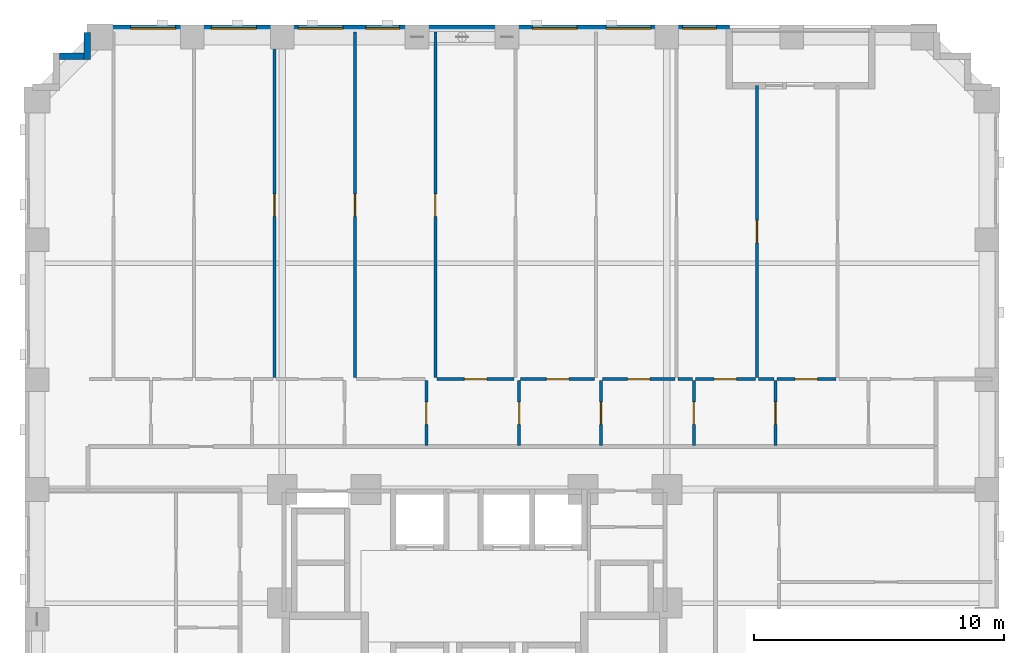
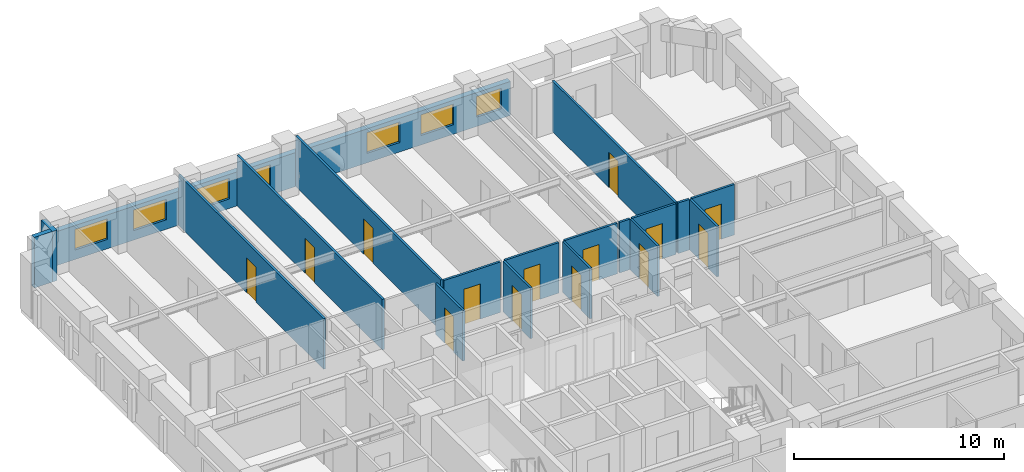
# One storey, part 8 of 14: 19 walls, 14 doors, 7 windows, 21 openings.
"""IFC4 building model written with IfcOpenShell, lengths in metres."""

from ifc_helpers import new_model, si_unit, derived_unit, direction, frame, frame_2d, origin, place, context, subcontext, project, spatial, rectangle, extrude, material, layer, layer_set, type_object, element, fill, save


model = new_model("IFC4")

# Units and contexts
model_context = context("Model", 3, precision=1e-05, world=origin(), true_north=direction((0.0, 1.0)))
body_context = subcontext(model_context, "Body", "Model", "MODEL_VIEW")
ifc_project = project(units=[si_unit("LENGTHUNIT", "METRE"), si_unit("AREAUNIT", "SQUARE_METRE"), si_unit("VOLUMEUNIT", "CUBIC_METRE"), si_unit("PLANEANGLEUNIT", "RADIAN"), si_unit("MASSUNIT", "GRAM", prefix="KILO"), derived_unit("THERMALTRANSMITTANCEUNIT", [(si_unit("MASSUNIT", "GRAM", prefix="KILO"), 1), (si_unit("TIMEUNIT", "SECOND"), -3), (si_unit("THERMODYNAMICTEMPERATUREUNIT", "KELVIN"), -1)])], contexts=[model_context])

# Site, building, storey
site_placement = place(None, origin())
site = spatial("IfcSite", under=ifc_project, at=site_placement, CompositionType="ELEMENT")
building_placement = place(site_placement, origin())
building = spatial("IfcBuilding", under=site, at=building_placement, Name="Korrvale Station Residences", CompositionType="ELEMENT")
storey_placement = place(building_placement, frame((0.0, 0.0, 41.800048828125)))
storey = spatial("IfcBuildingStorey", under=building, at=storey_placement, Name="L10", CompositionType="ELEMENT", Elevation=41.800048828125)

# Walls
ifc_material_1 = material(Name="Precast concrete C45/55", Category="concrete")
ifc_layer_1 = layer(ifc_material_1, 0.260009765625, Name="Precast concrete C45/55")
ifc_layer_set_1 = layer_set([ifc_layer_1], Name="Precast concrete C45/55")
wall_type_1 = type_object("IfcWallType", Name="WAL-EXT-LOG260", PredefinedType="SOLIDWALL", material=ifc_layer_set_1)
wall_1_placement = place(storey_placement, frame((8.882080078125, 46.35009765625, 0.0), z_axis=(0.0, 0.0, 1.0), x_axis=(1.0, 0.0, 0.0)))
element("IfcWall", 1, at=wall_1_placement, inside=storey, type_object=wall_type_1, Name="L10 Serrated Corner Precast Step NW-3", PredefinedType="SOLIDWALL", context=body_context, shape_type="SweptSolid", body=[
    extrude(rectangle(XDim=0.98583984375, YDim=0.260009765625, at=frame_2d((0.492919921875, 0.0))), origin(), (0.0, 0.0, 1.0), 2.93994140625),
])
wall_2_placement = place(storey_placement, frame((10.0, 46.219970703125, 0.0), z_axis=(0.0, 0.0, 1.0), x_axis=(0.0, 1.0, 0.0)))
element("IfcWall", 2, at=wall_2_placement, inside=storey, type_object=wall_type_1, Name="L10 Serrated Corner Precast Step NW-4", PredefinedType="SOLIDWALL", context=body_context, shape_type="SweptSolid", body=[
    extrude(rectangle(XDim=1.078125, YDim=0.260009765625, at=frame_2d((0.5390625, 0.0))), origin(), (0.0, 0.0, 1.0), 2.93994140625),
])

# Wall, openings, windows
ifc_layer_2 = layer(ifc_material_1, 0.300048828125, Name="Precast concrete C45/55")
ifc_layer_set_2 = layer_set([ifc_layer_2], Name="Precast concrete C45/55")
wall_type_2 = type_object("IfcWallType", Name="WAL-EXT-PC300", PredefinedType="SOLIDWALL", material=ifc_layer_set_2)
wall_3_placement = place(storey_placement, frame((10.0, 47.449951171875, 0.0), z_axis=(0.0, 0.0, 1.0), x_axis=(1.0, 0.0, 0.0)))
wall_3 = element("IfcWall", 3, at=wall_3_placement, inside=storey, type_object=wall_type_2, Name="L10 North Exterior Precast Wall 1", PredefinedType="SOLIDWALL", context=body_context, shape_type="SweptSolid", body=[
    extrude(rectangle(XDim=25.699951171875, YDim=0.300048828125, at=frame_2d((12.85009765625, 0.0))), origin(), (0.0, 0.0, 1.0), 1.974853515625),
])
opening_1_placement = place(wall_3_placement, frame((1.72998046875, 0.0, 0.550048828125)))
opening_1 = element("IfcOpeningElement", 4, at=opening_1_placement, cuts=wall_3, Name="Opening W-09", PredefinedType="OPENING", context=body_context, shape_type="SweptSolid", body=[
    extrude(rectangle(XDim=1.800048828125, YDim=1.199951171875, at=frame_2d((0.89990234375, 0.60009765625))), frame((0.0, 0.16015625, 0.0), z_axis=(0.0, -1.0, 0.0), x_axis=(1.0, 0.0, 0.0)), (0.0, 0.0, 1.0), 0.320068359375),
])
opening_2_placement = place(wall_3_placement, frame((4.9609375, 0.0, 0.550048828125)))
opening_2 = element("IfcOpeningElement", 5, at=opening_2_placement, cuts=wall_3, Name="Opening W-09", PredefinedType="OPENING", context=body_context, shape_type="SweptSolid", body=[
    extrude(rectangle(XDim=1.800048828125, YDim=1.199951171875, at=frame_2d((0.89990234375, 0.60009765625))), frame((0.0, 0.16015625, 0.0), z_axis=(0.0, -1.0, 0.0), x_axis=(1.0, 0.0, 0.0)), (0.0, 0.0, 1.0), 0.320068359375),
])
opening_3_placement = place(wall_3_placement, frame((8.43505859375, 0.0, 0.550048828125)))
opening_3 = element("IfcOpeningElement", 6, at=opening_3_placement, cuts=wall_3, Name="Opening W-09", PredefinedType="OPENING", context=body_context, shape_type="SweptSolid", body=[
    extrude(rectangle(XDim=1.800048828125, YDim=1.199951171875, at=frame_2d((0.89990234375, 0.60009765625))), frame((0.0, 0.16015625, 0.0), z_axis=(0.0, -1.0, 0.0), x_axis=(1.0, 0.0, 0.0)), (0.0, 0.0, 1.0), 0.320068359375),
])
opening_4_placement = place(wall_3_placement, frame((11.14990234375, 0.0, 0.550048828125)))
opening_4 = element("IfcOpeningElement", 7, at=opening_4_placement, cuts=wall_3, Name="Opening W-10", PredefinedType="OPENING", context=body_context, shape_type="SweptSolid", body=[
    extrude(rectangle(XDim=1.35009765625, YDim=1.199951171875, at=frame_2d((0.675048828125, 0.60009765625))), frame((0.0, 0.16015625, 0.0), z_axis=(0.0, -1.0, 0.0), x_axis=(1.0, 0.0, 0.0)), (0.0, 0.0, 1.0), 0.320068359375),
])
opening_5_placement = place(wall_3_placement, frame((17.81201171875, 0.0, 0.550048828125)))
opening_5 = element("IfcOpeningElement", 8, at=opening_5_placement, cuts=wall_3, Name="Opening W-09", PredefinedType="OPENING", context=body_context, shape_type="SweptSolid", body=[
    extrude(rectangle(XDim=1.800048828125, YDim=1.199951171875, at=frame_2d((0.89990234375, 0.60009765625))), frame((0.0, 0.16015625, 0.0), z_axis=(0.0, -1.0, 0.0), x_axis=(1.0, 0.0, 0.0)), (0.0, 0.0, 1.0), 0.320068359375),
])
opening_6_placement = place(wall_3_placement, frame((20.764892578125, 0.0, 0.550048828125)))
opening_6 = element("IfcOpeningElement", 9, at=opening_6_placement, cuts=wall_3, Name="Opening W-09", PredefinedType="OPENING", context=body_context, shape_type="SweptSolid", body=[
    extrude(rectangle(XDim=1.800048828125, YDim=1.199951171875, at=frame_2d((0.89990234375, 0.60009765625))), frame((0.0, 0.16015625, 0.0), z_axis=(0.0, -1.0, 0.0), x_axis=(1.0, 0.0, 0.0)), (0.0, 0.0, 1.0), 0.320068359375),
])
opening_7_placement = place(wall_3_placement, frame((23.8349609375, 0.0, 0.550048828125)))
opening_7 = element("IfcOpeningElement", 10, at=opening_7_placement, cuts=wall_3, Name="Opening W-10", PredefinedType="OPENING", context=body_context, shape_type="SweptSolid", body=[
    extrude(rectangle(XDim=1.35009765625, YDim=1.199951171875, at=frame_2d((0.675048828125, 0.60009765625))), frame((0.0, 0.16015625, 0.0), z_axis=(0.0, -1.0, 0.0), x_axis=(1.0, 0.0, 0.0)), (0.0, 0.0, 1.0), 0.320068359375),
])
ifc_material_2 = material(Name="Thermally broken aluminium frame with triple low-e glazing", Category="aluminium")
window_type_1 = type_object("IfcWindowType", Name="WIN-W09", PartitioningType="DOUBLE_PANEL_VERTICAL", PredefinedType="WINDOW", material=ifc_material_2)
window_1_placement = place(opening_1_placement, origin())
window_1 = element("IfcWindow", 11, at=window_1_placement, inside=storey, type_object=window_type_1, Name="L10 Punched Window 15", OverallHeight=1.199951171875, OverallWidth=1.800048828125, PartitioningType="DOUBLE_PANEL_VERTICAL", PredefinedType="WINDOW", context=body_context, shape_type="SweptSolid", body=[
    extrude(rectangle(XDim=1.800048828125, YDim=1.199951171875, at=frame_2d((0.89990234375, 0.60009765625))), frame((0.0, 0.030029296875, 0.0), z_axis=(0.0, -1.0, 0.0), x_axis=(1.0, 0.0, 0.0)), (0.0, 0.0, 1.0), 0.06005859375),
])
fill(opening_1, window_1)
window_2_placement = place(opening_2_placement, origin())
window_2 = element("IfcWindow", 12, at=window_2_placement, inside=storey, type_object=window_type_1, Name="L10 Punched Window 16", OverallHeight=1.199951171875, OverallWidth=1.800048828125, PartitioningType="DOUBLE_PANEL_VERTICAL", PredefinedType="WINDOW", context=body_context, shape_type="SweptSolid", body=[
    extrude(rectangle(XDim=1.800048828125, YDim=1.199951171875, at=frame_2d((0.89990234375, 0.60009765625))), frame((0.0, 0.030029296875, 0.0), z_axis=(0.0, -1.0, 0.0), x_axis=(1.0, 0.0, 0.0)), (0.0, 0.0, 1.0), 0.06005859375),
])
fill(opening_2, window_2)
window_3_placement = place(opening_3_placement, origin())
window_3 = element("IfcWindow", 13, at=window_3_placement, inside=storey, type_object=window_type_1, Name="L10 Punched Window 17", OverallHeight=1.199951171875, OverallWidth=1.800048828125, PartitioningType="DOUBLE_PANEL_VERTICAL", PredefinedType="WINDOW", context=body_context, shape_type="SweptSolid", body=[
    extrude(rectangle(XDim=1.800048828125, YDim=1.199951171875, at=frame_2d((0.89990234375, 0.60009765625))), frame((0.0, 0.030029296875, 0.0), z_axis=(0.0, -1.0, 0.0), x_axis=(1.0, 0.0, 0.0)), (0.0, 0.0, 1.0), 0.06005859375),
])
fill(opening_3, window_3)
window_4_placement = place(opening_5_placement, origin())
window_4 = element("IfcWindow", 14, at=window_4_placement, inside=storey, type_object=window_type_1, Name="L10 Punched Window 19", OverallHeight=1.199951171875, OverallWidth=1.800048828125, PartitioningType="DOUBLE_PANEL_VERTICAL", PredefinedType="WINDOW", context=body_context, shape_type="SweptSolid", body=[
    extrude(rectangle(XDim=1.800048828125, YDim=1.199951171875, at=frame_2d((0.89990234375, 0.60009765625))), frame((0.0, 0.030029296875, 0.0), z_axis=(0.0, -1.0, 0.0), x_axis=(1.0, 0.0, 0.0)), (0.0, 0.0, 1.0), 0.06005859375),
])
fill(opening_5, window_4)
window_5_placement = place(opening_6_placement, origin())
window_5 = element("IfcWindow", 15, at=window_5_placement, inside=storey, type_object=window_type_1, Name="L10 Punched Window 20", OverallHeight=1.199951171875, OverallWidth=1.800048828125, PartitioningType="DOUBLE_PANEL_VERTICAL", PredefinedType="WINDOW", context=body_context, shape_type="SweptSolid", body=[
    extrude(rectangle(XDim=1.800048828125, YDim=1.199951171875, at=frame_2d((0.89990234375, 0.60009765625))), frame((0.0, 0.030029296875, 0.0), z_axis=(0.0, -1.0, 0.0), x_axis=(1.0, 0.0, 0.0)), (0.0, 0.0, 1.0), 0.06005859375),
])
fill(opening_6, window_5)
window_type_2 = type_object("IfcWindowType", Name="WIN-W10", PartitioningType="SINGLE_PANEL", PredefinedType="WINDOW", material=ifc_material_2)
window_6_placement = place(opening_4_placement, origin())
window_6 = element("IfcWindow", 16, at=window_6_placement, inside=storey, type_object=window_type_2, Name="L10 Punched Window 18", OverallHeight=1.199951171875, OverallWidth=1.35009765625, PartitioningType="SINGLE_PANEL", PredefinedType="WINDOW", context=body_context, shape_type="SweptSolid", body=[
    extrude(rectangle(XDim=1.35009765625, YDim=1.199951171875, at=frame_2d((0.675048828125, 0.60009765625))), frame((0.0, 0.030029296875, 0.0), z_axis=(0.0, -1.0, 0.0), x_axis=(1.0, 0.0, 0.0)), (0.0, 0.0, 1.0), 0.06005859375),
])
fill(opening_4, window_6)
window_7_placement = place(opening_7_placement, origin())
window_7 = element("IfcWindow", 17, at=window_7_placement, inside=storey, type_object=window_type_2, Name="L10 Punched Window 21", OverallHeight=1.199951171875, OverallWidth=1.35009765625, PartitioningType="SINGLE_PANEL", PredefinedType="WINDOW", context=body_context, shape_type="SweptSolid", body=[
    extrude(rectangle(XDim=1.35009765625, YDim=1.199951171875, at=frame_2d((0.675048828125, 0.60009765625))), frame((0.0, 0.030029296875, 0.0), z_axis=(0.0, -1.0, 0.0), x_axis=(1.0, 0.0, 0.0)), (0.0, 0.0, 1.0), 0.06005859375),
])
fill(opening_7, window_7)

# Wall, opening, door
ifc_material_3 = material(Name="Acoustic steel-stud gypsum board partition", Category="steel")
ifc_layer_3 = layer(ifc_material_3, 0.1201171875, Name="Acoustic steel-stud gypsum board partition")
ifc_layer_set_3 = layer_set([ifc_layer_3], Name="Acoustic steel-stud gypsum board partition")
wall_type_3 = type_object("IfcWallType", Name="WAL-PART-125", PredefinedType="PARTITIONING", material=ifc_layer_set_3)
wall_4_placement = place(storey_placement, frame((23.570068359375, 30.760009765625, 0.0), z_axis=(0.0, 0.0, 1.0), x_axis=(0.0, 1.0, 0.0)))
wall_4 = element("IfcWall", 18, at=wall_4_placement, inside=storey, type_object=wall_type_3, Name="L10 Suite Partition U03-V34", PredefinedType="PARTITIONING", context=body_context, shape_type="SweptSolid", body=[
    extrude(rectangle(XDim=2.60009765625, YDim=0.1201171875, at=frame_2d((1.300048828125, 0.0))), origin(), (0.0, 0.0, 1.0), 2.93994140625),
])
opening_8_placement = place(wall_4_placement, frame((0.85009765625, 0.0, 0.0)))
opening_8 = element("IfcOpeningElement", 19, at=opening_8_placement, cuts=wall_4, Name="Opening DI-900", PredefinedType="OPENING", context=body_context, shape_type="SweptSolid", body=[
    extrude(rectangle(XDim=0.89990234375, YDim=2.050048828125, at=frame_2d((0.449951171875, 1.02490234375))), frame((0.0, 0.070068359375, 0.0), z_axis=(0.0, -1.0, 0.0), x_axis=(1.0, 0.0, 0.0)), (0.0, 0.0, 1.0), 0.14013671875),
])
ifc_material_4 = material(Name="Painted solid-core timber interior room door", Category="wood")
door_type = type_object("IfcDoorType", Name="DR-INT-900", OperationType="NOTDEFINED", PredefinedType="DOOR", material=ifc_material_4)
door_1_placement = place(opening_8_placement, origin())
door_1 = element("IfcDoor", 20, at=door_1_placement, inside=storey, type_object=door_type, Name="L10 Studio Apartment L10-U03 Storage Closet 2 Door", OperationType="SINGLE_SWING_RIGHT", OverallHeight=2.050048828125, OverallWidth=0.89990234375, PredefinedType="DOOR", context=body_context, shape_type="SweptSolid", body=[
    extrude(rectangle(XDim=0.89990234375, YDim=2.050048828125, at=frame_2d((0.449951171875, 1.02490234375))), frame((0.0, 0.02490234375, 0.0), z_axis=(0.0, -1.0, 0.0), x_axis=(1.0, 0.0, 0.0)), (0.0, 0.0, 1.0), 0.050048828125),
])
fill(opening_8, door_1)

wall_5_placement = place(storey_placement, frame((27.2900390625, 30.760009765625, 0.0), z_axis=(0.0, 0.0, 1.0), x_axis=(0.0, 1.0, 0.0)))
wall_5 = element("IfcWall", 21, at=wall_5_placement, inside=storey, type_object=wall_type_3, Name="L10 Suite Partition U03-V45", PredefinedType="PARTITIONING", context=body_context, shape_type="SweptSolid", body=[
    extrude(rectangle(XDim=2.60009765625, YDim=0.1201171875, at=frame_2d((1.300048828125, 0.0))), origin(), (0.0, 0.0, 1.0), 2.93994140625),
])
opening_9_placement = place(wall_5_placement, frame((0.85009765625, 0.0, 0.0)))
opening_9 = element("IfcOpeningElement", 22, at=opening_9_placement, cuts=wall_5, Name="Opening DI-900", PredefinedType="OPENING", context=body_context, shape_type="SweptSolid", body=[
    extrude(rectangle(XDim=0.89990234375, YDim=2.050048828125, at=frame_2d((0.449951171875, 1.02490234375))), frame((0.0, 0.070068359375, 0.0), z_axis=(0.0, -1.0, 0.0), x_axis=(1.0, 0.0, 0.0)), (0.0, 0.0, 1.0), 0.14013671875),
])
door_2_placement = place(opening_9_placement, origin())
door_2 = element("IfcDoor", 23, at=door_2_placement, inside=storey, type_object=door_type, Name="L10 Studio Apartment L10-U03 Storage Closet 3 Door", OperationType="SINGLE_SWING_RIGHT", OverallHeight=2.050048828125, OverallWidth=0.89990234375, PredefinedType="DOOR", context=body_context, shape_type="SweptSolid", body=[
    extrude(rectangle(XDim=0.89990234375, YDim=2.050048828125, at=frame_2d((0.449951171875, 1.02490234375))), frame((0.0, 0.02490234375, 0.0), z_axis=(0.0, -1.0, 0.0), x_axis=(1.0, 0.0, 0.0)), (0.0, 0.0, 1.0), 0.050048828125),
])
fill(opening_9, door_2)

wall_6_placement = place(storey_placement, frame((23.989990234375, 33.419921875, 0.0), z_axis=(0.0, 0.0, 1.0), x_axis=(1.0, 0.0, 0.0)))
wall_6 = element("IfcWall", 24, at=wall_6_placement, inside=storey, type_object=wall_type_3, Name="L10 Suite Partition U03-H415", PredefinedType="PARTITIONING", context=body_context, shape_type="SweptSolid", body=[
    extrude(rectangle(XDim=3.10009765625, YDim=0.1201171875, at=frame_2d((1.550048828125, 0.0))), origin(), (0.0, 0.0, 1.0), 2.93994140625),
])
opening_10_placement = place(wall_6_placement, frame((1.10009765625, 0.0, 0.0)))
opening_10 = element("IfcOpeningElement", 25, at=opening_10_placement, cuts=wall_6, Name="Opening DI-900", PredefinedType="OPENING", context=body_context, shape_type="SweptSolid", body=[
    extrude(rectangle(XDim=0.89990234375, YDim=2.050048828125, at=frame_2d((0.449951171875, 1.02490234375))), frame((0.0, 0.070068359375, 0.0), z_axis=(0.0, -1.0, 0.0), x_axis=(1.0, 0.0, 0.0)), (0.0, 0.0, 1.0), 0.14013671875),
])
door_3_placement = place(opening_10_placement, origin())
door_3 = element("IfcDoor", 26, at=door_3_placement, inside=storey, type_object=door_type, Name="L10 Studio Apartment L10-U03 Storage Closet 3 Door", OperationType="SINGLE_SWING_LEFT", OverallHeight=2.050048828125, OverallWidth=0.89990234375, PredefinedType="DOOR", context=body_context, shape_type="SweptSolid", body=[
    extrude(rectangle(XDim=0.89990234375, YDim=2.050048828125, at=frame_2d((0.449951171875, 1.02490234375))), frame((0.0, 0.02490234375, 0.0), z_axis=(0.0, -1.0, 0.0), x_axis=(1.0, 0.0, 0.0)), (0.0, 0.0, 1.0), 0.050048828125),
])
fill(opening_10, door_3)

wall_7_placement = place(storey_placement, frame((30.56005859375, 30.760009765625, 0.0), z_axis=(0.0, 0.0, 1.0), x_axis=(0.0, 1.0, 0.0)))
wall_7 = element("IfcWall", 27, at=wall_7_placement, inside=storey, type_object=wall_type_3, Name="L10 Suite Partition U03-V56", PredefinedType="PARTITIONING", context=body_context, shape_type="SweptSolid", body=[
    extrude(rectangle(XDim=2.60009765625, YDim=0.1201171875, at=frame_2d((1.300048828125, 0.0))), origin(), (0.0, 0.0, 1.0), 2.93994140625),
])
opening_11_placement = place(wall_7_placement, frame((0.85009765625, 0.0, 0.0)))
opening_11 = element("IfcOpeningElement", 28, at=opening_11_placement, cuts=wall_7, Name="Opening DI-900", PredefinedType="OPENING", context=body_context, shape_type="SweptSolid", body=[
    extrude(rectangle(XDim=0.89990234375, YDim=2.050048828125, at=frame_2d((0.449951171875, 1.02490234375))), frame((0.0, 0.070068359375, 0.0), z_axis=(0.0, -1.0, 0.0), x_axis=(1.0, 0.0, 0.0)), (0.0, 0.0, 1.0), 0.14013671875),
])
door_4_placement = place(opening_11_placement, origin())
door_4 = element("IfcDoor", 29, at=door_4_placement, inside=storey, type_object=door_type, Name="L10 Studio Apartment L10-U03 Storage Closet 4 Door", OperationType="SINGLE_SWING_RIGHT", OverallHeight=2.050048828125, OverallWidth=0.89990234375, PredefinedType="DOOR", context=body_context, shape_type="SweptSolid", body=[
    extrude(rectangle(XDim=0.89990234375, YDim=2.050048828125, at=frame_2d((0.449951171875, 1.02490234375))), frame((0.0, 0.02490234375, 0.0), z_axis=(0.0, -1.0, 0.0), x_axis=(1.0, 0.0, 0.0)), (0.0, 0.0, 1.0), 0.050048828125),
])
fill(opening_11, door_4)

wall_8_placement = place(storey_placement, frame((27.35009765625, 33.419921875, 0.0), z_axis=(0.0, 0.0, 1.0), x_axis=(1.0, 0.0, 0.0)))
wall_8 = element("IfcWall", 30, at=wall_8_placement, inside=storey, type_object=wall_type_3, Name="L10 Suite Partition U03-H516", PredefinedType="PARTITIONING", context=body_context, shape_type="SweptSolid", body=[
    extrude(rectangle(XDim=2.9599609375, YDim=0.1201171875, at=frame_2d((1.47998046875, 0.0))), origin(), (0.0, 0.0, 1.0), 2.93994140625),
])
opening_12_placement = place(wall_8_placement, frame((1.030029296875, 0.0, 0.0)))
opening_12 = element("IfcOpeningElement", 31, at=opening_12_placement, cuts=wall_8, Name="Opening DI-900", PredefinedType="OPENING", context=body_context, shape_type="SweptSolid", body=[
    extrude(rectangle(XDim=0.89990234375, YDim=2.050048828125, at=frame_2d((0.449951171875, 1.02490234375))), frame((0.0, 0.070068359375, 0.0), z_axis=(0.0, -1.0, 0.0), x_axis=(1.0, 0.0, 0.0)), (0.0, 0.0, 1.0), 0.14013671875),
])
door_5_placement = place(opening_12_placement, origin())
door_5 = element("IfcDoor", 32, at=door_5_placement, inside=storey, type_object=door_type, Name="L10 Studio Apartment L10-U03 Storage Closet 4 Door", OperationType="SINGLE_SWING_LEFT", OverallHeight=2.050048828125, OverallWidth=0.89990234375, PredefinedType="DOOR", context=body_context, shape_type="SweptSolid", body=[
    extrude(rectangle(XDim=0.89990234375, YDim=2.050048828125, at=frame_2d((0.449951171875, 1.02490234375))), frame((0.0, 0.02490234375, 0.0), z_axis=(0.0, -1.0, 0.0), x_axis=(1.0, 0.0, 0.0)), (0.0, 0.0, 1.0), 0.050048828125),
])
fill(opening_12, door_5)

wall_9_placement = place(storey_placement, frame((34.280029296875, 30.760009765625, 0.0), z_axis=(0.0, 0.0, 1.0), x_axis=(0.0, 1.0, 0.0)))
wall_9 = element("IfcWall", 33, at=wall_9_placement, inside=storey, type_object=wall_type_3, Name="L10 Suite Partition U03-V67", PredefinedType="PARTITIONING", context=body_context, shape_type="SweptSolid", body=[
    extrude(rectangle(XDim=2.60009765625, YDim=0.1201171875, at=frame_2d((1.300048828125, 0.0))), origin(), (0.0, 0.0, 1.0), 2.93994140625),
])
opening_13_placement = place(wall_9_placement, frame((0.85009765625, 0.0, 0.0)))
opening_13 = element("IfcOpeningElement", 34, at=opening_13_placement, cuts=wall_9, Name="Opening DI-900", PredefinedType="OPENING", context=body_context, shape_type="SweptSolid", body=[
    extrude(rectangle(XDim=0.89990234375, YDim=2.050048828125, at=frame_2d((0.449951171875, 1.02490234375))), frame((0.0, 0.070068359375, 0.0), z_axis=(0.0, -1.0, 0.0), x_axis=(1.0, 0.0, 0.0)), (0.0, 0.0, 1.0), 0.14013671875),
])
door_6_placement = place(opening_13_placement, origin())
door_6 = element("IfcDoor", 35, at=door_6_placement, inside=storey, type_object=door_type, Name="L10 Studio Apartment L10-U03 Storage Closet 5 Door", OperationType="SINGLE_SWING_RIGHT", OverallHeight=2.050048828125, OverallWidth=0.89990234375, PredefinedType="DOOR", context=body_context, shape_type="SweptSolid", body=[
    extrude(rectangle(XDim=0.89990234375, YDim=2.050048828125, at=frame_2d((0.449951171875, 1.02490234375))), frame((0.0, 0.02490234375, 0.0), z_axis=(0.0, -1.0, 0.0), x_axis=(1.0, 0.0, 0.0)), (0.0, 0.0, 1.0), 0.050048828125),
])
fill(opening_13, door_6)

wall_10_placement = place(storey_placement, frame((30.6201171875, 33.419921875, 0.0), z_axis=(0.0, 0.0, 1.0), x_axis=(1.0, 0.0, 0.0)))
wall_10 = element("IfcWall", 36, at=wall_10_placement, inside=storey, type_object=wall_type_3, Name="L10 Suite Partition U03-H617", PredefinedType="PARTITIONING", context=body_context, shape_type="SweptSolid", body=[
    extrude(rectangle(XDim=2.909912109375, YDim=0.1201171875, at=frame_2d((1.455078125, 0.0))), origin(), (0.0, 0.0, 1.0), 2.93994140625),
])
opening_14_placement = place(wall_10_placement, frame((1.0048828125, 0.0, 0.0)))
opening_14 = element("IfcOpeningElement", 37, at=opening_14_placement, cuts=wall_10, Name="Opening DI-900", PredefinedType="OPENING", context=body_context, shape_type="SweptSolid", body=[
    extrude(rectangle(XDim=0.89990234375, YDim=2.050048828125, at=frame_2d((0.449951171875, 1.02490234375))), frame((0.0, 0.070068359375, 0.0), z_axis=(0.0, -1.0, 0.0), x_axis=(1.0, 0.0, 0.0)), (0.0, 0.0, 1.0), 0.14013671875),
])
door_7_placement = place(opening_14_placement, origin())
door_7 = element("IfcDoor", 38, at=door_7_placement, inside=storey, type_object=door_type, Name="L10 Studio Apartment L10-U03 Storage Closet 5 Door", OperationType="SINGLE_SWING_LEFT", OverallHeight=2.050048828125, OverallWidth=0.89990234375, PredefinedType="DOOR", context=body_context, shape_type="SweptSolid", body=[
    extrude(rectangle(XDim=0.89990234375, YDim=2.050048828125, at=frame_2d((0.449951171875, 1.02490234375))), frame((0.0, 0.02490234375, 0.0), z_axis=(0.0, -1.0, 0.0), x_axis=(1.0, 0.0, 0.0)), (0.0, 0.0, 1.0), 0.050048828125),
])
fill(opening_14, door_7)

# Wall
wall_11_placement = place(storey_placement, frame((33.64990234375, 33.419921875, 0.0), z_axis=(0.0, 0.0, 1.0), x_axis=(1.0, 0.0, 0.0)))
element("IfcWall", 39, at=wall_11_placement, inside=storey, type_object=wall_type_3, Name="L10 Suite Partition U03-H618", PredefinedType="PARTITIONING", context=body_context, shape_type="SweptSolid", body=[
    extrude(rectangle(XDim=0.570068359375, YDim=0.1201171875, at=frame_2d((0.28515625, 0.0))), origin(), (0.0, 0.0, 1.0), 2.93994140625),
])

# Wall, opening, door
wall_12_placement = place(storey_placement, frame((37.550048828125, 30.760009765625, 0.0), z_axis=(0.0, 0.0, 1.0), x_axis=(0.0, 1.0, 0.0)))
wall_12 = element("IfcWall", 40, at=wall_12_placement, inside=storey, type_object=wall_type_3, Name="L10 Suite Partition U03-V78", PredefinedType="PARTITIONING", context=body_context, shape_type="SweptSolid", body=[
    extrude(rectangle(XDim=2.60009765625, YDim=0.1201171875, at=frame_2d((1.300048828125, 0.0))), origin(), (0.0, 0.0, 1.0), 2.93994140625),
])
opening_15_placement = place(wall_12_placement, frame((0.85009765625, 0.0, 0.0)))
opening_15 = element("IfcOpeningElement", 41, at=opening_15_placement, cuts=wall_12, Name="Opening DI-900", PredefinedType="OPENING", context=body_context, shape_type="SweptSolid", body=[
    extrude(rectangle(XDim=0.89990234375, YDim=2.050048828125, at=frame_2d((0.449951171875, 1.02490234375))), frame((0.0, 0.070068359375, 0.0), z_axis=(0.0, -1.0, 0.0), x_axis=(1.0, 0.0, 0.0)), (0.0, 0.0, 1.0), 0.14013671875),
])
door_8_placement = place(opening_15_placement, origin())
door_8 = element("IfcDoor", 42, at=door_8_placement, inside=storey, type_object=door_type, Name="L10 Studio Apartment L10-U03 Storage Closet 6 Door", OperationType="SINGLE_SWING_RIGHT", OverallHeight=2.050048828125, OverallWidth=0.89990234375, PredefinedType="DOOR", context=body_context, shape_type="SweptSolid", body=[
    extrude(rectangle(XDim=0.89990234375, YDim=2.050048828125, at=frame_2d((0.449951171875, 1.02490234375))), frame((0.0, 0.02490234375, 0.0), z_axis=(0.0, -1.0, 0.0), x_axis=(1.0, 0.0, 0.0)), (0.0, 0.0, 1.0), 0.050048828125),
])
fill(opening_15, door_8)

wall_13_placement = place(storey_placement, frame((34.340087890625, 33.419921875, 0.0), z_axis=(0.0, 0.0, 1.0), x_axis=(1.0, 0.0, 0.0)))
wall_13 = element("IfcWall", 43, at=wall_13_placement, inside=storey, type_object=wall_type_3, Name="L10 Suite Partition U03-H718", PredefinedType="PARTITIONING", context=body_context, shape_type="SweptSolid", body=[
    extrude(rectangle(XDim=2.409912109375, YDim=0.1201171875, at=frame_2d((1.205078125, 0.0))), origin(), (0.0, 0.0, 1.0), 2.93994140625),
])
opening_16_placement = place(wall_13_placement, frame((0.7548828125, 0.0, 0.0)))
opening_16 = element("IfcOpeningElement", 44, at=opening_16_placement, cuts=wall_13, Name="Opening DI-900", PredefinedType="OPENING", context=body_context, shape_type="SweptSolid", body=[
    extrude(rectangle(XDim=0.89990234375, YDim=2.050048828125, at=frame_2d((0.449951171875, 1.02490234375))), frame((0.0, 0.070068359375, 0.0), z_axis=(0.0, -1.0, 0.0), x_axis=(1.0, 0.0, 0.0)), (0.0, 0.0, 1.0), 0.14013671875),
])
door_9_placement = place(opening_16_placement, origin())
door_9 = element("IfcDoor", 45, at=door_9_placement, inside=storey, type_object=door_type, Name="L10 Studio Apartment L10-U03 Storage Closet 6 Door", OperationType="SINGLE_SWING_LEFT", OverallHeight=2.050048828125, OverallWidth=0.89990234375, PredefinedType="DOOR", context=body_context, shape_type="SweptSolid", body=[
    extrude(rectangle(XDim=0.89990234375, YDim=2.050048828125, at=frame_2d((0.449951171875, 1.02490234375))), frame((0.0, 0.02490234375, 0.0), z_axis=(0.0, -1.0, 0.0), x_axis=(1.0, 0.0, 0.0)), (0.0, 0.0, 1.0), 0.050048828125),
])
fill(opening_16, door_9)

# Wall
wall_14_placement = place(storey_placement, frame((36.8701171875, 33.419921875, 0.0), z_axis=(0.0, 0.0, 1.0), x_axis=(1.0, 0.0, 0.0)))
element("IfcWall", 46, at=wall_14_placement, inside=storey, type_object=wall_type_3, Name="L10 Suite Partition U03-H719", PredefinedType="PARTITIONING", context=body_context, shape_type="SweptSolid", body=[
    extrude(rectangle(XDim=0.619873046875, YDim=0.1201171875, at=frame_2d((0.31005859375, 0.0))), origin(), (0.0, 0.0, 1.0), 2.93994140625),
])

# Wall, opening, door
wall_15_placement = place(storey_placement, frame((37.610107421875, 33.419921875, 0.0), z_axis=(0.0, 0.0, 1.0), x_axis=(1.0, 0.0, 0.0)))
wall_15 = element("IfcWall", 47, at=wall_15_placement, inside=storey, type_object=wall_type_3, Name="L10 Suite Partition U03-H819", PredefinedType="PARTITIONING", context=body_context, shape_type="SweptSolid", body=[
    extrude(rectangle(XDim=2.35986328125, YDim=0.1201171875, at=frame_2d((1.179931640625, 0.0))), origin(), (0.0, 0.0, 1.0), 2.93994140625),
])
opening_17_placement = place(wall_15_placement, frame((0.72998046875, 0.0, 0.0)))
opening_17 = element("IfcOpeningElement", 48, at=opening_17_placement, cuts=wall_15, Name="Opening DI-900", PredefinedType="OPENING", context=body_context, shape_type="SweptSolid", body=[
    extrude(rectangle(XDim=0.89990234375, YDim=2.050048828125, at=frame_2d((0.449951171875, 1.02490234375))), frame((0.0, 0.070068359375, 0.0), z_axis=(0.0, -1.0, 0.0), x_axis=(1.0, 0.0, 0.0)), (0.0, 0.0, 1.0), 0.14013671875),
])
door_10_placement = place(opening_17_placement, origin())
door_10 = element("IfcDoor", 49, at=door_10_placement, inside=storey, type_object=door_type, Name="L10 Studio Apartment L10-U03 Storage Closet 7 Door", OperationType="SINGLE_SWING_LEFT", OverallHeight=2.050048828125, OverallWidth=0.89990234375, PredefinedType="DOOR", context=body_context, shape_type="SweptSolid", body=[
    extrude(rectangle(XDim=0.89990234375, YDim=2.050048828125, at=frame_2d((0.449951171875, 1.02490234375))), frame((0.0, 0.02490234375, 0.0), z_axis=(0.0, -1.0, 0.0), x_axis=(1.0, 0.0, 0.0)), (0.0, 0.0, 1.0), 0.050048828125),
])
fill(opening_17, door_10)

wall_16_placement = place(storey_placement, frame((17.489990234375, 33.47998046875, 0.0), z_axis=(0.0, 0.0, 1.0), x_axis=(0.0, 1.0, 0.0)))
wall_16 = element("IfcWall", 50, at=wall_16_placement, inside=storey, type_object=wall_type_3, Name="L10 Suite Partition U03-V1213", PredefinedType="PARTITIONING", context=body_context, shape_type="SweptSolid", body=[
    extrude(rectangle(XDim=13.840087890625, YDim=0.1201171875, at=frame_2d((6.919921875, 0.0))), origin(), (0.0, 0.0, 1.0), 2.93994140625),
])
opening_18_placement = place(wall_16_placement, frame((6.455078125, 0.0, 0.0)))
opening_18 = element("IfcOpeningElement", 51, at=opening_18_placement, cuts=wall_16, Name="Opening DI-900", PredefinedType="OPENING", context=body_context, shape_type="SweptSolid", body=[
    extrude(rectangle(XDim=0.89990234375, YDim=2.050048828125, at=frame_2d((0.449951171875, 1.02490234375))), frame((0.0, 0.070068359375, 0.0), z_axis=(0.0, -1.0, 0.0), x_axis=(1.0, 0.0, 0.0)), (0.0, 0.0, 1.0), 0.14013671875),
])
door_11_placement = place(opening_18_placement, origin())
door_11 = element("IfcDoor", 52, at=door_11_placement, inside=storey, type_object=door_type, Name="L10 Studio Apartment L10-U03 Walk-In Wardrobe Door", OperationType="SINGLE_SWING_LEFT", OverallHeight=2.050048828125, OverallWidth=0.89990234375, PredefinedType="DOOR", context=body_context, shape_type="SweptSolid", body=[
    extrude(rectangle(XDim=0.89990234375, YDim=2.050048828125, at=frame_2d((0.449951171875, 1.02490234375))), frame((0.0, 0.02490234375, 0.0), z_axis=(0.0, -1.0, 0.0), x_axis=(1.0, 0.0, 0.0)), (0.0, 0.0, 1.0), 0.050048828125),
])
fill(opening_18, door_11)

wall_17_placement = place(storey_placement, frame((20.7099609375, 33.47998046875, 0.0), z_axis=(0.0, 0.0, 1.0), x_axis=(0.0, 1.0, 0.0)))
wall_17 = element("IfcWall", 53, at=wall_17_placement, inside=storey, type_object=wall_type_3, Name="L10 Suite Partition U03-V1314", PredefinedType="PARTITIONING", context=body_context, shape_type="SweptSolid", body=[
    extrude(rectangle(XDim=13.840087890625, YDim=0.1201171875, at=frame_2d((6.919921875, 0.0))), origin(), (0.0, 0.0, 1.0), 2.93994140625),
])
opening_19_placement = place(wall_17_placement, frame((6.455078125, 0.0, 0.0)))
opening_19 = element("IfcOpeningElement", 54, at=opening_19_placement, cuts=wall_17, Name="Opening DI-900", PredefinedType="OPENING", context=body_context, shape_type="SweptSolid", body=[
    extrude(rectangle(XDim=0.89990234375, YDim=2.050048828125, at=frame_2d((0.449951171875, 1.02490234375))), frame((0.0, 0.070068359375, 0.0), z_axis=(0.0, -1.0, 0.0), x_axis=(1.0, 0.0, 0.0)), (0.0, 0.0, 1.0), 0.14013671875),
])
door_12_placement = place(opening_19_placement, origin())
door_12 = element("IfcDoor", 55, at=door_12_placement, inside=storey, type_object=door_type, Name="L10 Studio Apartment L10-U03 Walk-In Wardrobe Door", OperationType="SINGLE_SWING_RIGHT", OverallHeight=2.050048828125, OverallWidth=0.89990234375, PredefinedType="DOOR", context=body_context, shape_type="SweptSolid", body=[
    extrude(rectangle(XDim=0.89990234375, YDim=2.050048828125, at=frame_2d((0.449951171875, 1.02490234375))), frame((0.0, 0.02490234375, 0.0), z_axis=(0.0, -1.0, 0.0), x_axis=(1.0, 0.0, 0.0)), (0.0, 0.0, 1.0), 0.050048828125),
])
fill(opening_19, door_12)

wall_18_placement = place(storey_placement, frame((23.929931640625, 33.47998046875, 0.0), z_axis=(0.0, 0.0, 1.0), x_axis=(0.0, 1.0, 0.0)))
wall_18 = element("IfcWall", 56, at=wall_18_placement, inside=storey, type_object=wall_type_3, Name="L10 Suite Partition U03-V1415", PredefinedType="PARTITIONING", context=body_context, shape_type="SweptSolid", body=[
    extrude(rectangle(XDim=13.840087890625, YDim=0.1201171875, at=frame_2d((6.919921875, 0.0))), origin(), (0.0, 0.0, 1.0), 2.93994140625),
])
opening_20_placement = place(wall_18_placement, frame((6.455078125, 0.0, 0.0)))
opening_20 = element("IfcOpeningElement", 57, at=opening_20_placement, cuts=wall_18, Name="Opening DI-900", PredefinedType="OPENING", context=body_context, shape_type="SweptSolid", body=[
    extrude(rectangle(XDim=0.89990234375, YDim=2.050048828125, at=frame_2d((0.449951171875, 1.02490234375))), frame((0.0, 0.070068359375, 0.0), z_axis=(0.0, -1.0, 0.0), x_axis=(1.0, 0.0, 0.0)), (0.0, 0.0, 1.0), 0.14013671875),
])
door_13_placement = place(opening_20_placement, origin())
door_13 = element("IfcDoor", 58, at=door_13_placement, inside=storey, type_object=door_type, Name="L10 Studio Apartment L10-U03 Walk-In Wardrobe Door", OperationType="SINGLE_SWING_LEFT", OverallHeight=2.050048828125, OverallWidth=0.89990234375, PredefinedType="DOOR", context=body_context, shape_type="SweptSolid", body=[
    extrude(rectangle(XDim=0.89990234375, YDim=2.050048828125, at=frame_2d((0.449951171875, 1.02490234375))), frame((0.0, 0.02490234375, 0.0), z_axis=(0.0, -1.0, 0.0), x_axis=(1.0, 0.0, 0.0)), (0.0, 0.0, 1.0), 0.050048828125),
])
fill(opening_20, door_13)

wall_19_placement = place(storey_placement, frame((36.81005859375, 33.47998046875, 0.0), z_axis=(0.0, 0.0, 1.0), x_axis=(0.0, 1.0, 0.0)))
wall_19 = element("IfcWall", 59, at=wall_19_placement, inside=storey, type_object=wall_type_3, Name="L10 Suite Partition U03-V1819", PredefinedType="PARTITIONING", context=body_context, shape_type="SweptSolid", body=[
    extrude(rectangle(XDim=11.68994140625, YDim=0.1201171875, at=frame_2d((5.844970703125, 0.0))), origin(), (0.0, 0.0, 1.0), 2.93994140625),
])
opening_21_placement = place(wall_19_placement, frame((5.39501953125, 0.0, 0.0)))
opening_21 = element("IfcOpeningElement", 60, at=opening_21_placement, cuts=wall_19, Name="Opening DI-900", PredefinedType="OPENING", context=body_context, shape_type="SweptSolid", body=[
    extrude(rectangle(XDim=0.89990234375, YDim=2.050048828125, at=frame_2d((0.449951171875, 1.02490234375))), frame((0.0, 0.070068359375, 0.0), z_axis=(0.0, -1.0, 0.0), x_axis=(1.0, 0.0, 0.0)), (0.0, 0.0, 1.0), 0.14013671875),
])
door_14_placement = place(opening_21_placement, origin())
door_14 = element("IfcDoor", 61, at=door_14_placement, inside=storey, type_object=door_type, Name="L10 Studio Apartment L10-U03 Walk-In Wardrobe Door", OperationType="SINGLE_SWING_LEFT", OverallHeight=2.050048828125, OverallWidth=0.89990234375, PredefinedType="DOOR", context=body_context, shape_type="SweptSolid", body=[
    extrude(rectangle(XDim=0.89990234375, YDim=2.050048828125, at=frame_2d((0.449951171875, 1.02490234375))), frame((0.0, 0.02490234375, 0.0), z_axis=(0.0, -1.0, 0.0), x_axis=(1.0, 0.0, 0.0)), (0.0, 0.0, 1.0), 0.050048828125),
])
fill(opening_21, door_14)

save(model, "model.ifc")
